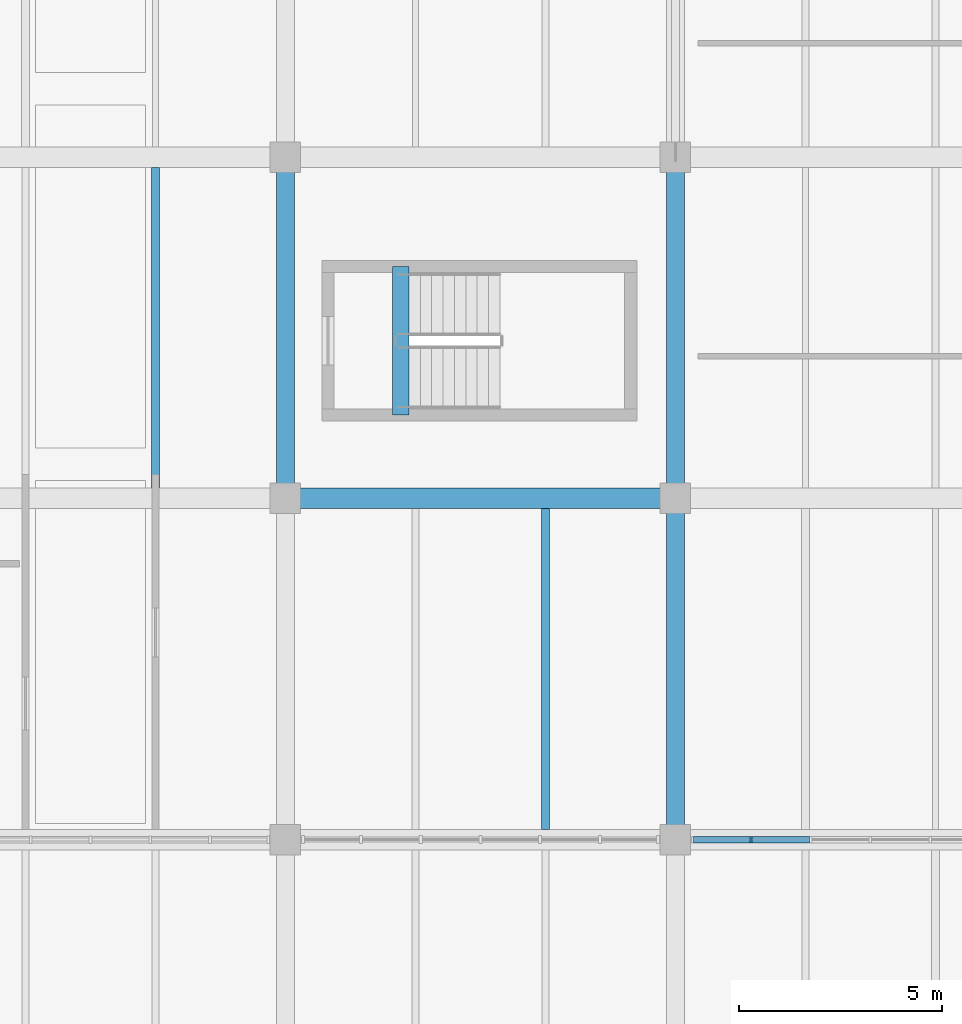
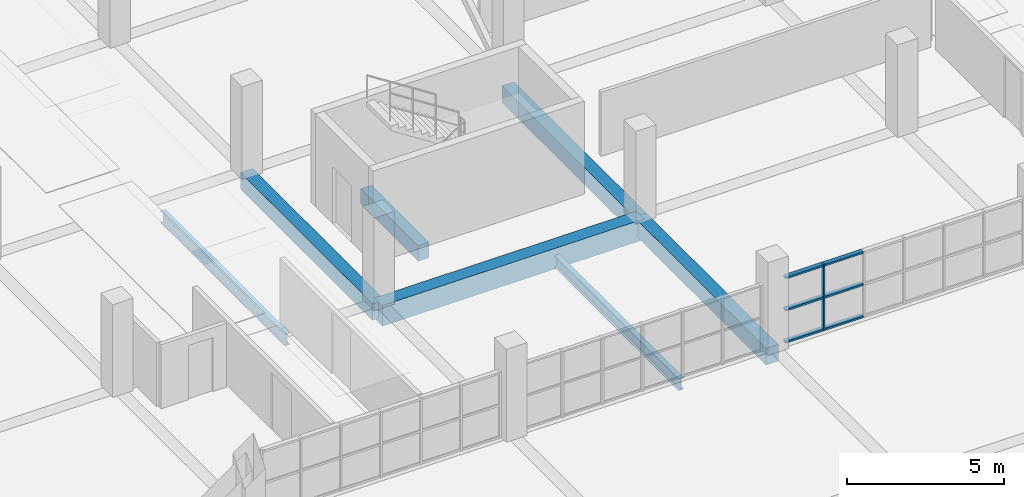
# One storey, part 23 of 147: 7 beams, 7 members, 1 element without a shape of its own.
"""IFC4 building model written with IfcOpenShell, lengths in metres."""

import ifcopenshell
import ifcopenshell.guid

model = None  # the IFC model being written
_history = None  # IfcOwnerHistory: only IFC2X3 demands one
_inside = {}  # id of a spatial element -> (the spatial element, [elements in it])
_under = {}  # id of a project, library or spatial element -> (it, [spatial elements below it])
_declared = {}  # id of a project -> (the project, [libraries it declares])
_typed = {}  # id of a type object -> (the type object, [elements of that type])
_made_of = {}  # id of a material, layer set ... -> (it, [elements and type objects made of it])


def new_model(schema):
    """Start an empty IFC model of exactly this schema.

    Asked for "IFC4X3", IfcOpenShell would pick the latest addendum, in which some entities
    have other attributes; the version numbers below select the first issue.
    IFC2X3 requires an IfcOwnerHistory on every rooted entity: one is made here for all.
    """
    global model, _history
    if schema == "IFC4X3":
        model = ifcopenshell.file(schema_version=(4, 3, 0, 0))
    else:
        model = ifcopenshell.file(schema=schema)
    _inside.clear()
    _under.clear()
    _declared.clear()
    _typed.clear()
    _made_of.clear()
    _history = None
    if model.schema == "IFC2X3":
        org = make("IfcOrganization", Name="unknown")
        user = make(
            "IfcPersonAndOrganization",
            ThePerson=make("IfcPerson", FamilyName="unknown"),
            TheOrganization=org,
        )
        app = make(
            "IfcApplication",
            ApplicationDeveloper=org,
            Version="unknown",
            ApplicationFullName="unknown",
            ApplicationIdentifier="unknown",
        )
        _history = make(
            "IfcOwnerHistory",
            OwningUser=user,
            OwningApplication=app,
            ChangeAction="ADDED",
            CreationDate=0,
        )
    return model


def make(cls, **values):
    """One entity of the class cls with the attributes given. An attribute that is None is left unset."""
    return model.create_entity(
        cls, **{name: value for name, value in values.items() if value is not None}
    )


def rooted(cls, **values):
    """An entity with a GlobalId (a new one), such as an element, a storey or a relation."""
    return make(cls, GlobalId=ifcopenshell.guid.new(), OwnerHistory=_history, **values)


def si_unit(unit_type, name, prefix=None):
    """IfcSIUnit, for example si_unit("LENGTHUNIT", "METRE", prefix="MILLI")."""
    return make("IfcSIUnit", UnitType=unit_type, Prefix=prefix, Name=name)


def assignment(units):
    """IfcUnitAssignment: the units of a project."""
    return None if units is None else make("IfcUnitAssignment", Units=units)


def point(xyz):
    """IfcCartesianPoint."""
    return None if xyz is None else make("IfcCartesianPoint", Coordinates=xyz)


def direction(xyz):
    """IfcDirection."""
    return None if xyz is None else make("IfcDirection", DirectionRatios=xyz)


def frame(location, z_axis=None, x_axis=None):
    """IfcAxis2Placement3D, a coordinate frame: its origin and axes. An axis left out is left unset."""
    return make(
        "IfcAxis2Placement3D",
        Location=point(location),
        Axis=direction(z_axis),
        RefDirection=direction(x_axis),
    )


def frame_2d(location, x_axis=None):
    """IfcAxis2Placement2D, a coordinate frame in the plane: its origin and x axis."""
    return make(
        "IfcAxis2Placement2D", Location=point(location), RefDirection=direction(x_axis)
    )


def origin():
    """The frame at (0, 0, 0) with its axes left unset."""
    return frame((0.0, 0.0, 0.0))


def origin_2d():
    """The frame at (0, 0) in the plane with its x axis left unset."""
    return frame_2d((0.0, 0.0))


def place(relative_to, where):
    """IfcLocalPlacement: puts the frame where relative to a parent placement (None: the world)."""
    return make(
        "IfcLocalPlacement", PlacementRelTo=relative_to, RelativePlacement=where
    )


def context(
    kind, dimensions, precision=None, world=None, true_north=None, identifier=None
):
    """IfcGeometricRepresentationContext, for example the 3D "Model" context."""
    return make(
        "IfcGeometricRepresentationContext",
        ContextIdentifier=identifier,
        ContextType=kind,
        CoordinateSpaceDimension=dimensions,
        Precision=precision,
        WorldCoordinateSystem=world,
        TrueNorth=true_north,
    )


def subcontext(parent, identifier, kind, view, scale=None):
    """IfcGeometricRepresentationSubContext, for example "Body" below "Model"."""
    return make(
        "IfcGeometricRepresentationSubContext",
        ContextIdentifier=identifier,
        ContextType=kind,
        ParentContext=parent,
        TargetScale=scale,
        TargetView=view,
    )


def project(units=None, contexts=None):
    """IfcProject with its units and contexts."""
    return rooted(
        "IfcProject",
        Name="project",
        RepresentationContexts=contexts,
        UnitsInContext=assignment(units),
    )


def spatial(cls, under=None, at=None, **own):
    """A site, building, storey or space (cls), placed at a placement, below another one or the project."""
    s = rooted(cls, ObjectPlacement=at, **own)
    if under is not None:
        _under.setdefault(under.id(), (under, []))[1].append(s)
    return s


def profile(cls, at=None, kind="AREA", **sizes):
    """A parametric profile (cls). Its sizes go by their IFC names, for example OverallWidth=200.0."""
    return make(cls, ProfileType=kind, Position=at, **sizes)


def rectangle(**sizes):
    """IfcRectangleProfileDef."""
    return profile("IfcRectangleProfileDef", **sizes)


def i_section(**sizes):
    """IfcIShapeProfileDef."""
    return profile("IfcIShapeProfileDef", **sizes)


def extrude(swept, where, along, depth):
    """IfcExtrudedAreaSolid: the profile swept, set in the frame where, extruded along a direction by depth."""
    return make(
        "IfcExtrudedAreaSolid",
        SweptArea=swept,
        Position=where,
        ExtrudedDirection=direction(along),
        Depth=depth,
    )


def shape(context_of_items, identifier, shape_type, items):
    """IfcShapeRepresentation: the items that make up one representation, for example the "Body"."""
    return make(
        "IfcShapeRepresentation",
        ContextOfItems=context_of_items,
        RepresentationIdentifier=identifier,
        RepresentationType=shape_type,
        Items=items,
    )


def material(Name=None, Category=None):
    """IfcMaterial."""
    return make("IfcMaterial", Name=Name, Category=Category)


def material_profile(
    of_material, cross_section, Name=None, Category=None, Priority=None
):
    """IfcMaterialProfile: a cross section and its material."""
    return make(
        "IfcMaterialProfile",
        Name=Name,
        Material=of_material,
        Profile=cross_section,
        Priority=Priority,
        Category=Category,
    )


def profile_set(profiles, Name=None, composite=None):
    """IfcMaterialProfileSet."""
    return make(
        "IfcMaterialProfileSet",
        Name=Name,
        MaterialProfiles=profiles,
        CompositeProfile=composite,
    )


def made_of(thing, what):
    """Note that an element or type object is made of a material, layer set ...; save() writes the relation."""
    if what is not None:
        _made_of.setdefault(what.id(), (what, []))[1].append(thing)
    return thing


def type_object(cls, material=None, **own):
    """A type object (cls), such as IfcWallType, which elements share."""
    return made_of(rooted(cls, **own), material)


def element(
    cls,
    number,
    at=None,
    inside=None,
    cuts=None,
    type_object=None,
    material=None,
    context=None,
    identifier="Body",
    shape_type=None,
    held_by="IfcProductDefinitionShape",
    body=None,
    shapes=None,
    **own,
):
    """One element of the class cls, such as IfcWall. Its Tag is "e" and its number.

    at: its placement. inside: the storey or other place that contains it. cuts: it is an
    opening in that element (IfcRelVoidsElement). A single representation is given by context,
    identifier, shape_type and body (its items); several are given by shapes. held_by: the class
    of the entity that holds the representations. save() writes the other relations.
    """
    e = rooted(cls, Tag="e%d" % number, ObjectPlacement=at, **own)
    if body is not None:
        shapes = [shape(context, identifier, shape_type, body)]
    if shapes is not None:
        e.Representation = make(held_by, Representations=shapes)
    if inside is not None:
        _inside.setdefault(inside.id(), (inside, []))[1].append(e)
    if cuts is not None:
        rooted(
            "IfcRelVoidsElement", RelatingBuildingElement=cuts, RelatedOpeningElement=e
        )
    if type_object is not None:
        _typed.setdefault(type_object.id(), (type_object, []))[1].append(e)
    return made_of(e, material)


def aggregate(whole, parts):
    """IfcRelAggregates: a whole, such as a stair, and the parts it consists of."""
    return rooted("IfcRelAggregates", RelatingObject=whole, RelatedObjects=parts)


def save(model, path):
    """Write the relations noted so far, then the file.

    IfcRelAggregates (storeys below a building ...), IfcRelContainedInSpatialStructure (elements
    in a storey), IfcRelDefinesByType, IfcRelAssociatesMaterial and IfcRelDeclares: one each for
    every whole, place, type object, material and project.
    """
    for whole, parts in _under.values():
        aggregate(whole, parts)
    for where, things in _inside.values():
        rooted(
            "IfcRelContainedInSpatialStructure",
            RelatedElements=things,
            RelatingStructure=where,
        )
    for kind, things in _typed.values():
        rooted("IfcRelDefinesByType", RelatedObjects=things, RelatingType=kind)
    for what, things in _made_of.values():
        rooted("IfcRelAssociatesMaterial", RelatedObjects=things, RelatingMaterial=what)
    for by, libraries in _declared.values():
        rooted("IfcRelDeclares", RelatingContext=by, RelatedDefinitions=libraries)
    model.write(path)


model = new_model("IFC4")

# Units and contexts
model_context = context("Model", 3, precision=1e-05, world=origin(), true_north=direction((0.0, 1.0)))
body_context = subcontext(model_context, "Body", "Model", "MODEL_VIEW")
ifc_project = project(units=[si_unit("LENGTHUNIT", "METRE"), si_unit("AREAUNIT", "SQUARE_METRE"), si_unit("VOLUMEUNIT", "CUBIC_METRE"), si_unit("PLANEANGLEUNIT", "RADIAN"), si_unit("MASSUNIT", "GRAM", prefix="KILO")], contexts=[model_context])

# Site, building, storey
site_placement = place(None, origin())
site = spatial("IfcSite", under=ifc_project, at=site_placement, CompositionType="ELEMENT")
building_placement = place(site_placement, origin())
building = spatial("IfcBuilding", under=site, at=building_placement, Name="Oolite Switchyard Hospital", CompositionType="ELEMENT")
storey_placement = place(building_placement, frame((0.0, 0.0, 9.89990234375)))
storey = spatial("IfcBuildingStorey", under=building, at=storey_placement, Name="L02", CompositionType="ELEMENT", Elevation=9.89990234375)

# Beams
ifc_material_1 = material(Name="Concrete C40/50", Category="concrete")
ifc_material_profile_1 = material_profile(ifc_material_1, rectangle(XDim=0.39990234375, YDim=0.60009765625, at=origin_2d()), Name="RCB400X600")
ifc_profile_set_1 = profile_set([ifc_material_profile_1], Name="Concrete C40/50")
beam_type_1 = type_object("IfcBeamType", Name="BM-RC400X600", PredefinedType="BEAM", material=ifc_profile_set_1)
beam_1_placement = place(storey_placement, frame((22.0400390625, 44.050048828125, -0.2998046875), z_axis=(0.0, 1.0, 0.0), x_axis=(-1.0, 0.0, 0.0)))
element("IfcBeam", 1, at=beam_1_placement, inside=storey, type_object=beam_type_1, Name="L02 ST-01 Stair Throat Trimmer Beam", PredefinedType="BEAM", context=body_context, shape_type="SweptSolid", body=[
    extrude(rectangle(XDim=0.39990234375, YDim=0.60009765625, at=origin_2d()), origin(), (0.0, 0.0, 1.0), 3.659912109375),
])
ifc_material_profile_2 = material_profile(ifc_material_1, rectangle(XDim=0.449951171875, YDim=0.64990234375, at=origin_2d()), Name="RCB450X650")
ifc_profile_set_2 = profile_set([ifc_material_profile_2], Name="Concrete C40/50")
beam_type_2 = type_object("IfcBeamType", Name="BM-RC450X650", PredefinedType="BEAM", material=ifc_profile_set_2)
for number, where, z_axis, x_axis, name in (
    (2, (19.199951171875, 42.0, -0.324951171875), (0.0, 1.0, 0.0), (-1.0, 0.0, 0.0), "L02 Y-Girder 1282"),
    (3, (28.800048828125, 33.60009765625, -0.324951171875), (0.0, 1.0, 0.0), (-1.0, 0.0, 0.0), "L02 Y-Girder 1297"),
    (4, (28.800048828125, 42.0, -0.324951171875), (0.0, 1.0, 0.0), (-1.0, 0.0, 0.0), "L02 Y-Girder 1298"),
):
    element("IfcBeam", number, at=place(storey_placement, frame(where, z_axis=z_axis, x_axis=x_axis)), inside=storey, type_object=beam_type_2, Name=name, PredefinedType="BEAM", context=body_context, shape_type="SweptSolid", body=[
        extrude(rectangle(XDim=0.449951171875, YDim=0.64990234375, at=origin_2d()), origin(), (0.0, 0.0, 1.0), 8.39990234375),
    ])
ifc_material_profile_3 = material_profile(ifc_material_1, rectangle(XDim=0.5, YDim=0.800048828125, at=origin_2d()), Name="RCB500X800")
ifc_profile_set_3 = profile_set([ifc_material_profile_3], Name="Concrete C40/50")
beam_type_3 = type_object("IfcBeamType", Name="BM-RC500X800", PredefinedType="BEAM", material=ifc_profile_set_3)
beam_2_placement = place(storey_placement, frame((19.199951171875, 42.0, -0.39990234375), z_axis=(1.0, 0.0, 0.0), x_axis=(0.0, 1.0, 0.0)))
element("IfcBeam", 5, at=beam_2_placement, inside=storey, type_object=beam_type_3, Name="L02 X-Girder 1052", PredefinedType="BEAM", context=body_context, shape_type="SweptSolid", body=[
    extrude(rectangle(XDim=0.5, YDim=0.800048828125, at=origin_2d()), origin(), (0.0, 0.0, 1.0), 9.60009765625),
])
ifc_material_2 = material(Name="Steel ASTM A992 Grade 50", Category="steel")
ifc_material_profile_4 = material_profile(ifc_material_2, i_section(OverallWidth=0.19091796875, OverallDepth=0.4599609375, WebThickness=0.010009765625, FlangeThickness=0.01611328125, at=origin_2d()), Name="W18X55")
ifc_profile_set_4 = profile_set([ifc_material_profile_4], Name="Steel ASTM A992 Grade 50")
beam_type_4 = type_object("IfcBeamType", Name="BM-W18X55", PredefinedType="JOIST", material=ifc_profile_set_4)
for number, where, z_axis, x_axis, name in (
    (6, (16.0, 42.25, -0.489990234375), (0.0, 1.0, 0.0), (-1.0, 0.0, 0.0), "L02 Secondary Steel Joist 1543"),
    (7, (25.60009765625, 33.85009765625, -0.489990234375), (0.0, 1.0, 0.0), (-1.0, 0.0, 0.0), "L02 Secondary Steel Joist 1573"),
):
    element("IfcBeam", number, at=place(storey_placement, frame(where, z_axis=z_axis, x_axis=x_axis)), inside=storey, type_object=beam_type_4, Name=name, PredefinedType="JOIST", context=body_context, shape_type="SweptSolid", body=[
        extrude(i_section(OverallWidth=0.19091796875, OverallDepth=0.4599609375, WebThickness=0.010009765625, FlangeThickness=0.01611328125, at=origin_2d()), origin(), (0.0, 0.0, 1.0), 7.89990234375),
    ])

# Curtain wall, members
ifc_material_3 = material(Name="Thermally broken aluminum frame with laminated impact glazing", Category="aluminium")
curtain_wall_type = type_object("IfcCurtainWallType", Name="CW-UNIT-96X36", PredefinedType="USERDEFINED", material=ifc_material_3)
curtain_wall_placement = place(storey_placement, origin())
curtain_wall = element("IfcCurtainWall", 8, at=curtain_wall_placement, inside=storey, type_object=curtain_wall_type, Name="L02 Unitised Curtain Wall 223", ObjectType="UNITISED", PredefinedType="USERDEFINED")
ifc_material_4 = material(Name="Aluminium 6063-T6", Category="aluminium")
ifc_material_profile_5 = material_profile(ifc_material_4, rectangle(XDim=0.159912109375, YDim=0.06005859375, at=origin_2d()), Name="CWM60X160")
ifc_profile_set_5 = profile_set([ifc_material_profile_5], Name="Aluminium 6063-T6")
member_type_1 = type_object("IfcMemberType", Name="CW-MUL-180", PredefinedType="MULLION", material=ifc_profile_set_5)
member_1_placement = place(storey_placement, frame((30.659912109375, 33.60009765625, 0.0), z_axis=(0.0, 0.0, 1.0), x_axis=(0.0, -1.0, 0.0)))
member_1 = element("IfcMember", 9, at=member_1_placement, type_object=member_type_1, Name="CW-03 mullion 6", PredefinedType="MULLION", context=body_context, shape_type="SweptSolid", body=[
    extrude(rectangle(XDim=0.159912109375, YDim=0.06005859375, at=origin_2d()), origin(), (0.0, 0.0, 1.0), 2.570068359375),
])
ifc_material_profile_6 = material_profile(ifc_material_4, rectangle(XDim=0.159912109375, YDim=0.074951171875, at=origin_2d()), Name="CWT75X160")
ifc_profile_set_6 = profile_set([ifc_material_profile_6], Name="Aluminium 6063-T6")
member_type_2 = type_object("IfcMemberType", Name="CW-TRN-180", PredefinedType="USERDEFINED", material=ifc_profile_set_6)
member_2_placement = place(storey_placement, frame((32.10009765625, 33.60009765625, 0.03759765625), z_axis=(-1.0, 0.0, 0.0), x_axis=(0.0, -1.0, 0.0)))
member_2 = element("IfcMember", 10, at=member_2_placement, type_object=member_type_2, Name="CW-03 transom 5.1", ObjectType="TRANSOM", PredefinedType="USERDEFINED", context=body_context, shape_type="SweptSolid", body=[
    extrude(rectangle(XDim=0.159912109375, YDim=0.074951171875, at=origin_2d()), origin(), (0.0, 0.0, 1.0), 1.41015625),
])
member_3_placement = place(storey_placement, frame((32.10009765625, 33.60009765625, 1.28515625), z_axis=(-1.0, 0.0, 0.0), x_axis=(0.0, -1.0, 0.0)))
member_3 = element("IfcMember", 11, at=member_3_placement, type_object=member_type_2, Name="CW-03 transom 5.2", ObjectType="TRANSOM", PredefinedType="USERDEFINED", context=body_context, shape_type="SweptSolid", body=[
    extrude(rectangle(XDim=0.159912109375, YDim=0.074951171875, at=origin_2d()), origin(), (0.0, 0.0, 1.0), 1.41015625),
])
member_4_placement = place(storey_placement, frame((32.10009765625, 33.60009765625, 2.53271484375), z_axis=(-1.0, 0.0, 0.0), x_axis=(0.0, -1.0, 0.0)))
member_4 = element("IfcMember", 12, at=member_4_placement, type_object=member_type_2, Name="CW-03 transom 5.3", ObjectType="TRANSOM", PredefinedType="USERDEFINED", context=body_context, shape_type="SweptSolid", body=[
    extrude(rectangle(XDim=0.159912109375, YDim=0.074951171875, at=origin_2d()), origin(), (0.0, 0.0, 1.0), 1.41015625),
])
member_5_placement = place(storey_placement, frame((30.6298828125, 33.60009765625, 0.03759765625), z_axis=(-1.0, 0.0, 0.0), x_axis=(0.0, -1.0, 0.0)))
member_5 = element("IfcMember", 13, at=member_5_placement, type_object=member_type_2, Name="CW-03 transom 6.1", ObjectType="TRANSOM", PredefinedType="USERDEFINED", context=body_context, shape_type="SweptSolid", body=[
    extrude(rectangle(XDim=0.159912109375, YDim=0.074951171875, at=origin_2d()), origin(), (0.0, 0.0, 1.0), 1.3798828125),
])
member_6_placement = place(storey_placement, frame((30.6298828125, 33.60009765625, 1.28515625), z_axis=(-1.0, 0.0, 0.0), x_axis=(0.0, -1.0, 0.0)))
member_6 = element("IfcMember", 14, at=member_6_placement, type_object=member_type_2, Name="CW-03 transom 6.2", ObjectType="TRANSOM", PredefinedType="USERDEFINED", context=body_context, shape_type="SweptSolid", body=[
    extrude(rectangle(XDim=0.159912109375, YDim=0.074951171875, at=origin_2d()), origin(), (0.0, 0.0, 1.0), 1.3798828125),
])
member_7_placement = place(storey_placement, frame((30.6298828125, 33.60009765625, 2.53271484375), z_axis=(-1.0, 0.0, 0.0), x_axis=(0.0, -1.0, 0.0)))
member_7 = element("IfcMember", 15, at=member_7_placement, type_object=member_type_2, Name="CW-03 transom 6.3", ObjectType="TRANSOM", PredefinedType="USERDEFINED", context=body_context, shape_type="SweptSolid", body=[
    extrude(rectangle(XDim=0.159912109375, YDim=0.074951171875, at=origin_2d()), origin(), (0.0, 0.0, 1.0), 1.3798828125),
])
aggregate(curtain_wall, [member_1, member_2, member_3, member_4, member_5, member_6, member_7])

save(model, "model.ifc")
